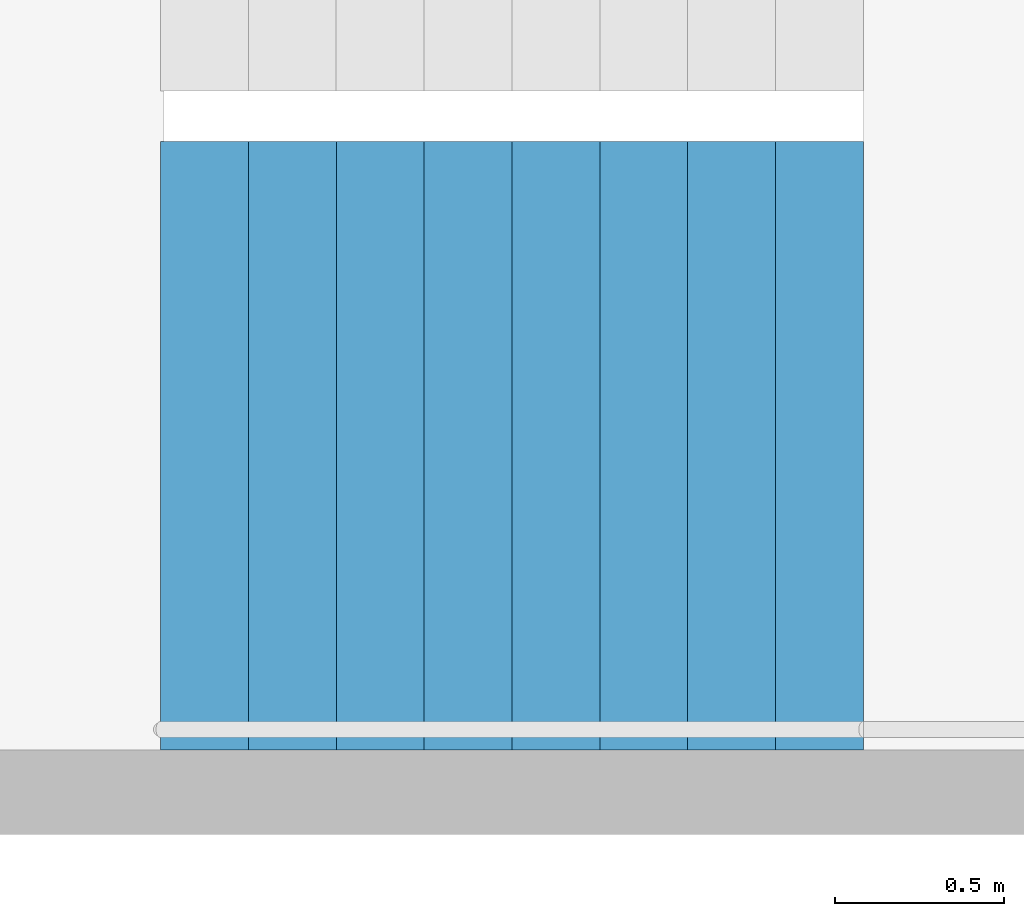
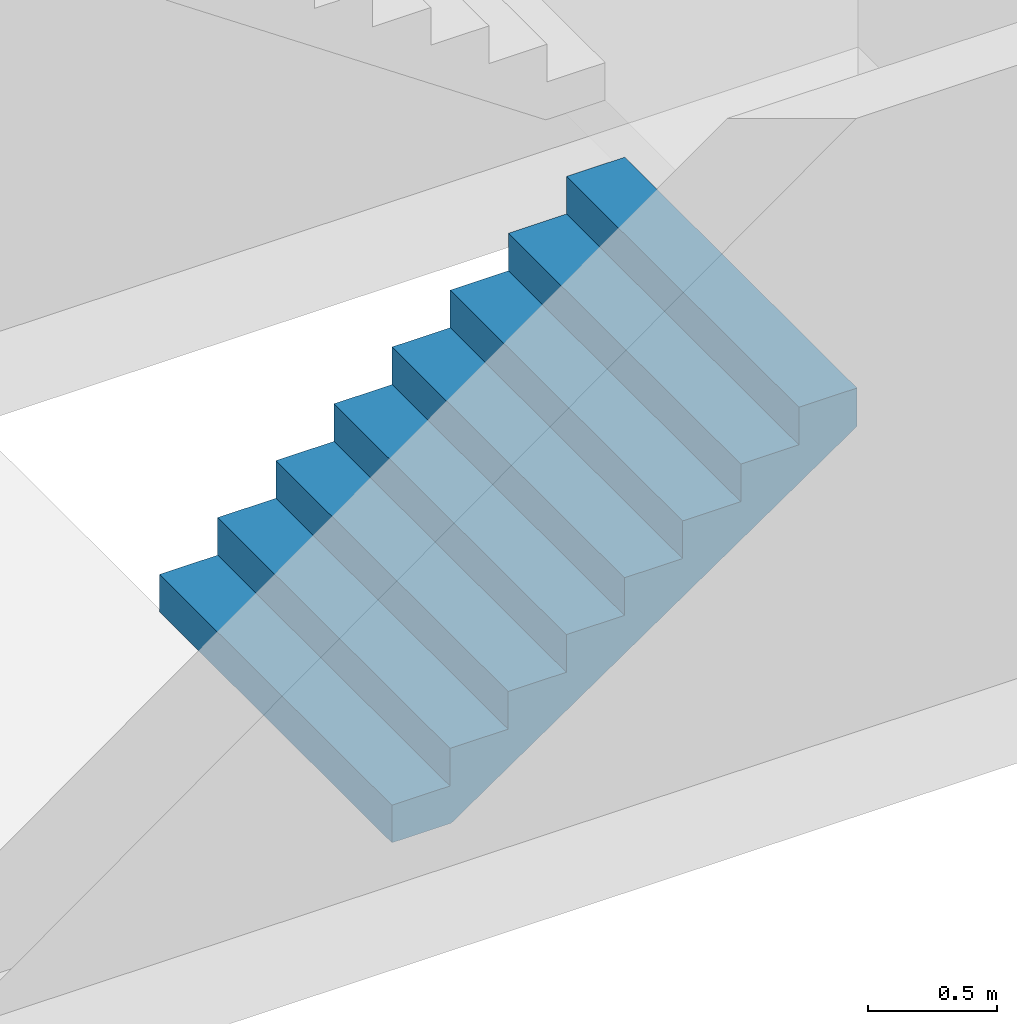
# One storey, part 23 of 29: 1 stair flight, 1 element without a shape of its own.
"""IFC4 building model written with IfcOpenShell, lengths in metres."""

from ifc_helpers import new_model, si_unit, direction, frame, origin, place, context, subcontext, project, spatial, triangles, material, type_object, element, aggregate, save


model = new_model("IFC4")

# Units and contexts
model_context = context("Model", 3, precision=1e-05, world=origin(), true_north=direction((0.0, 1.0)))
body_context = subcontext(model_context, "Body", "Model", "MODEL_VIEW")
ifc_project = project(units=[si_unit("LENGTHUNIT", "METRE"), si_unit("AREAUNIT", "SQUARE_METRE"), si_unit("VOLUMEUNIT", "CUBIC_METRE"), si_unit("PLANEANGLEUNIT", "RADIAN"), si_unit("MASSUNIT", "GRAM", prefix="KILO")], contexts=[model_context])

# Site, building, storey
site_placement = place(None, origin())
site = spatial("IfcSite", under=ifc_project, at=site_placement, CompositionType="ELEMENT")
building_placement = place(site_placement, origin())
building = spatial("IfcBuilding", under=site, at=building_placement, Name="Hakoniwa Tower and Hamabe Station Hall", CompositionType="ELEMENT")
storey_placement = place(building_placement, frame((0.0, 0.0, 117.0)))
storey = spatial("IfcBuildingStorey", under=building, at=storey_placement, Name="L33", CompositionType="ELEMENT", Elevation=117.0)

# Stair, stair flight
ifc_material_1 = material(Name="Concrete C40", Category="concrete")
stair_type = type_object("IfcStairType", Name="ESCAPE STAIR 1800", PredefinedType="HALF_TURN_STAIR", material=ifc_material_1)
stair_placement = place(storey_placement, origin())
stair = element("IfcStair", 1, at=stair_placement, inside=storey, type_object=stair_type, Name="Escape stair ST-1 L33", PredefinedType="HALF_TURN_STAIR")
ifc_material_2 = material(Name="Concrete C40", Category="concrete")
stair_flight_type = type_object("IfcStairFlightType", Name="STAIR FLIGHT 1800", PredefinedType="STRAIGHT", material=ifc_material_2)
stair_flight_placement = place(storey_placement, frame((-24.39990234375, 4.64990234375, 0.0), z_axis=(0.0, 0.0, 1.0), x_axis=(1.0, 0.0, 0.0)))
stair_flight = element("IfcStairFlight", 2, at=stair_flight_placement, type_object=stair_flight_type, Name="ST-1 flight 1", NumberOfRisers=9, NumberOfTreads=8, PredefinedType="STRAIGHT", RiserHeight=0.177777778, TreadLength=0.26, context=body_context, shape_type="Tessellation", body=[
    triangles([(0.0, 0.89990234375, 0.0), (0.260009765625, 0.89990234375, 0.0), (0.265625, 0.89990234375, 0.0), (0.52001953125, 0.89990234375, 0.174072265625), (0.780029296875, 0.89990234375, 0.351806640625), (1.0400390625, 0.89990234375, 0.529541015625), (1.300048828125, 0.89990234375, 0.707275390625), (1.56005859375, 0.89990234375, 0.885009765625), (1.820068359375, 0.89990234375, 1.062744140625), (2.080078125, 0.89990234375, 1.24072265625), (2.080078125, 0.89990234375, 1.422119140625), (1.820068359375, 0.89990234375, 1.422119140625), (1.820068359375, 0.89990234375, 1.244384765625), (1.56005859375, 0.89990234375, 1.244384765625), (1.56005859375, 0.89990234375, 1.066650390625), (1.300048828125, 0.89990234375, 1.066650390625), (1.300048828125, 0.89990234375, 0.888916015625), (1.0400390625, 0.89990234375, 0.888916015625), (1.0400390625, 0.89990234375, 0.711181640625), (0.780029296875, 0.89990234375, 0.711181640625), (0.780029296875, 0.89990234375, 0.533447265625), (0.52001953125, 0.89990234375, 0.533447265625), (0.52001953125, 0.89990234375, 0.35546875), (0.265625, 0.89990234375, 0.35546875), (0.260009765625, 0.89990234375, 0.35546875), (0.260009765625, 0.89990234375, 0.177734375), (0.0, 0.89990234375, 0.177734375), (0.0, 0.06005859375, 0.0), (0.260009765625, 0.06005859375, 0.0), (0.265625, 0.06005859375, 0.0), (0.52001953125, 0.06005859375, 0.174072265625), (0.780029296875, 0.06005859375, 0.351806640625), (1.0400390625, 0.06005859375, 0.529541015625), (1.300048828125, 0.06005859375, 0.707275390625), (1.56005859375, 0.06005859375, 0.885009765625), (1.820068359375, 0.06005859375, 1.062744140625), (2.080078125, 0.06005859375, 1.24072265625), (2.080078125, 0.06005859375, 1.422119140625), (1.820068359375, 0.06005859375, 1.422119140625), (1.820068359375, 0.06005859375, 1.244384765625), (1.56005859375, 0.06005859375, 1.244384765625), (1.56005859375, 0.06005859375, 1.066650390625), (1.300048828125, 0.06005859375, 1.066650390625), (1.300048828125, 0.06005859375, 0.888916015625), (1.0400390625, 0.06005859375, 0.888916015625), (1.0400390625, 0.06005859375, 0.711181640625), (0.780029296875, 0.06005859375, 0.711181640625), (0.780029296875, 0.06005859375, 0.533447265625), (0.52001953125, 0.06005859375, 0.533447265625), (0.52001953125, 0.06005859375, 0.35546875), (0.265625, 0.06005859375, 0.35546875), (0.260009765625, 0.06005859375, 0.35546875), (0.260009765625, 0.06005859375, 0.177734375), (0.0, 0.06005859375, 0.177734375), (0.0, 0.04296875, 0.0), (0.260009765625, 0.04296875, 0.0), (0.265625, 0.04296875, 0.0), (0.52001953125, 0.04296875, 0.174072265625), (0.780029296875, 0.04296875, 0.351806640625), (1.0400390625, 0.04296875, 0.529541015625), (1.300048828125, 0.04296875, 0.707275390625), (1.56005859375, 0.04296875, 0.885009765625), (1.820068359375, 0.04296875, 1.062744140625), (2.080078125, 0.04296875, 1.24072265625), (2.080078125, 0.04296875, 1.422119140625), (1.820068359375, 0.04296875, 1.422119140625), (1.820068359375, 0.04296875, 1.244384765625), (1.56005859375, 0.04296875, 1.244384765625), (1.56005859375, 0.04296875, 1.066650390625), (1.300048828125, 0.04296875, 1.066650390625), (1.300048828125, 0.04296875, 0.888916015625), (1.0400390625, 0.04296875, 0.888916015625), (1.0400390625, 0.04296875, 0.711181640625), (0.780029296875, 0.04296875, 0.711181640625), (0.780029296875, 0.04296875, 0.533447265625), (0.52001953125, 0.04296875, 0.533447265625), (0.52001953125, 0.04296875, 0.35546875), (0.265625, 0.04296875, 0.35546875), (0.260009765625, 0.04296875, 0.35546875), (0.260009765625, 0.04296875, 0.177734375), (0.0, 0.04296875, 0.177734375), (0.0, 0.025634765625, 0.0), (0.260009765625, 0.025634765625, 0.0), (0.265625, 0.025634765625, 0.0), (0.52001953125, 0.025634765625, 0.174072265625), (0.780029296875, 0.025634765625, 0.351806640625), (1.0400390625, 0.025634765625, 0.529541015625), (1.300048828125, 0.025634765625, 0.707275390625), (1.56005859375, 0.025634765625, 0.885009765625), (1.820068359375, 0.025634765625, 1.062744140625), (2.080078125, 0.025634765625, 1.24072265625), (2.080078125, 0.025634765625, 1.422119140625), (1.820068359375, 0.025634765625, 1.422119140625), (1.820068359375, 0.025634765625, 1.244384765625), (1.56005859375, 0.025634765625, 1.244384765625), (1.56005859375, 0.025634765625, 1.066650390625), (1.300048828125, 0.025634765625, 1.066650390625), (1.300048828125, 0.025634765625, 0.888916015625), (1.0400390625, 0.025634765625, 0.888916015625), (1.0400390625, 0.025634765625, 0.711181640625), (0.780029296875, 0.025634765625, 0.711181640625), (0.780029296875, 0.025634765625, 0.533447265625), (0.52001953125, 0.025634765625, 0.533447265625), (0.52001953125, 0.025634765625, 0.35546875), (0.265625, 0.025634765625, 0.35546875), (0.260009765625, 0.025634765625, 0.35546875), (0.260009765625, 0.025634765625, 0.177734375), (0.0, 0.025634765625, 0.177734375), (0.0, 0.008544921875, 0.0), (0.260009765625, 0.008544921875, 0.0), (0.265625, 0.008544921875, 0.0), (0.52001953125, 0.008544921875, 0.174072265625), (0.780029296875, 0.008544921875, 0.351806640625), (1.0400390625, 0.008544921875, 0.529541015625), (1.300048828125, 0.008544921875, 0.707275390625), (1.56005859375, 0.008544921875, 0.885009765625), (1.820068359375, 0.008544921875, 1.062744140625), (2.080078125, 0.008544921875, 1.24072265625), (2.080078125, 0.008544921875, 1.422119140625), (1.820068359375, 0.008544921875, 1.422119140625), (1.820068359375, 0.008544921875, 1.244384765625), (1.56005859375, 0.008544921875, 1.244384765625), (1.56005859375, 0.008544921875, 1.066650390625), (1.300048828125, 0.008544921875, 1.066650390625), (1.300048828125, 0.008544921875, 0.888916015625), (1.0400390625, 0.008544921875, 0.888916015625), (1.0400390625, 0.008544921875, 0.711181640625), (0.780029296875, 0.008544921875, 0.711181640625), (0.780029296875, 0.008544921875, 0.533447265625), (0.52001953125, 0.008544921875, 0.533447265625), (0.52001953125, 0.008544921875, 0.35546875), (0.265625, 0.008544921875, 0.35546875), (0.260009765625, 0.008544921875, 0.35546875), (0.260009765625, 0.008544921875, 0.177734375), (0.0, 0.008544921875, 0.177734375), (0.0, -0.008544921875, 0.0), (0.260009765625, -0.008544921875, 0.0), (0.265625, -0.008544921875, 0.0), (0.52001953125, -0.008544921875, 0.174072265625), (0.780029296875, -0.008544921875, 0.351806640625), (1.0400390625, -0.008544921875, 0.529541015625), (1.300048828125, -0.008544921875, 0.707275390625), (1.56005859375, -0.008544921875, 0.885009765625), (1.820068359375, -0.008544921875, 1.062744140625), (2.080078125, -0.008544921875, 1.24072265625), (2.080078125, -0.008544921875, 1.422119140625), (1.820068359375, -0.008544921875, 1.422119140625), (1.820068359375, -0.008544921875, 1.244384765625), (1.56005859375, -0.008544921875, 1.244384765625), (1.56005859375, -0.008544921875, 1.066650390625), (1.300048828125, -0.008544921875, 1.066650390625), (1.300048828125, -0.008544921875, 0.888916015625), (1.0400390625, -0.008544921875, 0.888916015625), (1.0400390625, -0.008544921875, 0.711181640625), (0.780029296875, -0.008544921875, 0.711181640625), (0.780029296875, -0.008544921875, 0.533447265625), (0.52001953125, -0.008544921875, 0.533447265625), (0.52001953125, -0.008544921875, 0.35546875), (0.265625, -0.008544921875, 0.35546875), (0.260009765625, -0.008544921875, 0.35546875), (0.260009765625, -0.008544921875, 0.177734375), (0.0, -0.008544921875, 0.177734375), (0.0, -0.025634765625, 0.0), (0.260009765625, -0.025634765625, 0.0), (0.265625, -0.025634765625, 0.0), (0.52001953125, -0.025634765625, 0.174072265625), (0.780029296875, -0.025634765625, 0.351806640625), (1.0400390625, -0.025634765625, 0.529541015625), (1.300048828125, -0.025634765625, 0.707275390625), (1.56005859375, -0.025634765625, 0.885009765625), (1.820068359375, -0.025634765625, 1.062744140625), (2.080078125, -0.025634765625, 1.24072265625), (2.080078125, -0.025634765625, 1.422119140625), (1.820068359375, -0.025634765625, 1.422119140625), (1.820068359375, -0.025634765625, 1.244384765625), (1.56005859375, -0.025634765625, 1.244384765625), (1.56005859375, -0.025634765625, 1.066650390625), (1.300048828125, -0.025634765625, 1.066650390625), (1.300048828125, -0.025634765625, 0.888916015625), (1.0400390625, -0.025634765625, 0.888916015625), (1.0400390625, -0.025634765625, 0.711181640625), (0.780029296875, -0.025634765625, 0.711181640625), (0.780029296875, -0.025634765625, 0.533447265625), (0.52001953125, -0.025634765625, 0.533447265625), (0.52001953125, -0.025634765625, 0.35546875), (0.265625, -0.025634765625, 0.35546875), (0.260009765625, -0.025634765625, 0.35546875), (0.260009765625, -0.025634765625, 0.177734375), (0.0, -0.025634765625, 0.177734375), (0.0, -0.04296875, 0.0), (0.260009765625, -0.04296875, 0.0), (0.265625, -0.04296875, 0.0), (0.52001953125, -0.04296875, 0.174072265625), (0.780029296875, -0.04296875, 0.351806640625), (1.0400390625, -0.04296875, 0.529541015625), (1.300048828125, -0.04296875, 0.707275390625), (1.56005859375, -0.04296875, 0.885009765625), (1.820068359375, -0.04296875, 1.062744140625), (2.080078125, -0.04296875, 1.24072265625), (2.080078125, -0.04296875, 1.422119140625), (1.820068359375, -0.04296875, 1.422119140625), (1.820068359375, -0.04296875, 1.244384765625), (1.56005859375, -0.04296875, 1.244384765625), (1.56005859375, -0.04296875, 1.066650390625), (1.300048828125, -0.04296875, 1.066650390625), (1.300048828125, -0.04296875, 0.888916015625), (1.0400390625, -0.04296875, 0.888916015625), (1.0400390625, -0.04296875, 0.711181640625), (0.780029296875, -0.04296875, 0.711181640625), (0.780029296875, -0.04296875, 0.533447265625), (0.52001953125, -0.04296875, 0.533447265625), (0.52001953125, -0.04296875, 0.35546875), (0.265625, -0.04296875, 0.35546875), (0.260009765625, -0.04296875, 0.35546875), (0.260009765625, -0.04296875, 0.177734375), (0.0, -0.04296875, 0.177734375), (0.0, -0.06005859375, 0.0), (0.260009765625, -0.06005859375, 0.0), (0.265625, -0.06005859375, 0.0), (0.52001953125, -0.06005859375, 0.174072265625), (0.780029296875, -0.06005859375, 0.351806640625), (1.0400390625, -0.06005859375, 0.529541015625), (1.300048828125, -0.06005859375, 0.707275390625), (1.56005859375, -0.06005859375, 0.885009765625), (1.820068359375, -0.06005859375, 1.062744140625), (2.080078125, -0.06005859375, 1.24072265625), (2.080078125, -0.06005859375, 1.422119140625), (1.820068359375, -0.06005859375, 1.422119140625), (1.820068359375, -0.06005859375, 1.244384765625), (1.56005859375, -0.06005859375, 1.244384765625), (1.56005859375, -0.06005859375, 1.066650390625), (1.300048828125, -0.06005859375, 1.066650390625), (1.300048828125, -0.06005859375, 0.888916015625), (1.0400390625, -0.06005859375, 0.888916015625), (1.0400390625, -0.06005859375, 0.711181640625), (0.780029296875, -0.06005859375, 0.711181640625), (0.780029296875, -0.06005859375, 0.533447265625), (0.52001953125, -0.06005859375, 0.533447265625), (0.52001953125, -0.06005859375, 0.35546875), (0.265625, -0.06005859375, 0.35546875), (0.260009765625, -0.06005859375, 0.35546875), (0.260009765625, -0.06005859375, 0.177734375), (0.0, -0.06005859375, 0.177734375), (0.0, -0.89990234375, 0.0), (0.260009765625, -0.89990234375, 0.0), (0.265625, -0.89990234375, 0.0), (0.52001953125, -0.89990234375, 0.174072265625), (0.780029296875, -0.89990234375, 0.351806640625), (1.0400390625, -0.89990234375, 0.529541015625), (1.300048828125, -0.89990234375, 0.707275390625), (1.56005859375, -0.89990234375, 0.885009765625), (1.820068359375, -0.89990234375, 1.062744140625), (2.080078125, -0.89990234375, 1.24072265625), (2.080078125, -0.89990234375, 1.422119140625), (1.820068359375, -0.89990234375, 1.422119140625), (1.820068359375, -0.89990234375, 1.244384765625), (1.56005859375, -0.89990234375, 1.244384765625), (1.56005859375, -0.89990234375, 1.066650390625), (1.300048828125, -0.89990234375, 1.066650390625), (1.300048828125, -0.89990234375, 0.888916015625), (1.0400390625, -0.89990234375, 0.888916015625), (1.0400390625, -0.89990234375, 0.711181640625), (0.780029296875, -0.89990234375, 0.711181640625), (0.780029296875, -0.89990234375, 0.533447265625), (0.52001953125, -0.89990234375, 0.533447265625), (0.52001953125, -0.89990234375, 0.35546875), (0.265625, -0.89990234375, 0.35546875), (0.260009765625, -0.89990234375, 0.35546875), (0.260009765625, -0.89990234375, 0.177734375), (0.0, -0.89990234375, 0.177734375)], [[2, 27, 26], [245, 269, 270], [2, 1, 27], [245, 270, 244], [3, 25, 24], [246, 267, 268], [3, 26, 25], [246, 268, 269], [3, 2, 26], [246, 269, 245], [4, 24, 23], [247, 266, 267], [4, 3, 24], [247, 267, 246], [5, 22, 21], [248, 264, 265], [5, 23, 22], [248, 265, 266], [5, 4, 23], [248, 266, 247], [6, 20, 19], [249, 262, 263], [6, 21, 20], [249, 263, 264], [6, 5, 21], [249, 264, 248], [7, 18, 17], [250, 260, 261], [7, 19, 18], [250, 261, 262], [7, 6, 19], [250, 262, 249], [8, 16, 15], [251, 258, 259], [8, 17, 16], [251, 259, 260], [8, 7, 17], [251, 260, 250], [9, 14, 13], [252, 256, 257], [9, 15, 14], [252, 257, 258], [9, 8, 15], [252, 258, 251], [10, 12, 11], [253, 254, 255], [10, 13, 12], [253, 255, 256], [10, 9, 13], [253, 256, 252], [1, 2, 29], [1, 29, 28], [28, 29, 56], [28, 56, 55], [55, 56, 83], [55, 83, 82], [82, 83, 110], [82, 110, 109], [109, 110, 137], [109, 137, 136], [136, 137, 164], [136, 164, 163], [163, 164, 191], [163, 191, 190], [190, 191, 218], [190, 218, 217], [217, 218, 245], [217, 245, 244], [2, 3, 30], [2, 30, 29], [29, 30, 57], [29, 57, 56], [56, 57, 84], [56, 84, 83], [83, 84, 111], [83, 111, 110], [110, 111, 138], [110, 138, 137], [137, 138, 165], [137, 165, 164], [164, 165, 192], [164, 192, 191], [191, 192, 219], [191, 219, 218], [218, 219, 246], [218, 246, 245], [3, 4, 31], [3, 31, 30], [30, 31, 58], [30, 58, 57], [57, 58, 85], [57, 85, 84], [84, 85, 112], [84, 112, 111], [111, 112, 139], [111, 139, 138], [138, 139, 166], [138, 166, 165], [165, 166, 193], [165, 193, 192], [192, 193, 220], [192, 220, 219], [219, 220, 247], [219, 247, 246], [4, 5, 32], [4, 32, 31], [31, 32, 59], [31, 59, 58], [58, 59, 86], [58, 86, 85], [85, 86, 113], [85, 113, 112], [112, 113, 140], [112, 140, 139], [139, 140, 167], [139, 167, 166], [166, 167, 194], [166, 194, 193], [193, 194, 221], [193, 221, 220], [220, 221, 248], [220, 248, 247], [5, 6, 33], [5, 33, 32], [32, 33, 60], [32, 60, 59], [59, 60, 87], [59, 87, 86], [86, 87, 114], [86, 114, 113], [113, 114, 141], [113, 141, 140], [140, 141, 168], [140, 168, 167], [167, 168, 195], [167, 195, 194], [194, 195, 222], [194, 222, 221], [221, 222, 249], [221, 249, 248], [6, 7, 34], [6, 34, 33], [33, 34, 61], [33, 61, 60], [60, 61, 88], [60, 88, 87], [87, 88, 115], [87, 115, 114], [114, 115, 142], [114, 142, 141], [141, 142, 169], [141, 169, 168], [168, 169, 196], [168, 196, 195], [195, 196, 223], [195, 223, 222], [222, 223, 250], [222, 250, 249], [7, 8, 35], [7, 35, 34], [34, 35, 62], [34, 62, 61], [61, 62, 89], [61, 89, 88], [88, 89, 116], [88, 116, 115], [115, 116, 143], [115, 143, 142], [142, 143, 170], [142, 170, 169], [169, 170, 197], [169, 197, 196], [196, 197, 224], [196, 224, 223], [223, 224, 251], [223, 251, 250], [8, 9, 36], [8, 36, 35], [35, 36, 63], [35, 63, 62], [62, 63, 90], [62, 90, 89], [89, 90, 117], [89, 117, 116], [116, 117, 144], [116, 144, 143], [143, 144, 171], [143, 171, 170], [170, 171, 198], [170, 198, 197], [197, 198, 225], [197, 225, 224], [224, 225, 252], [224, 252, 251], [9, 10, 37], [9, 37, 36], [36, 37, 64], [36, 64, 63], [63, 64, 91], [63, 91, 90], [90, 91, 118], [90, 118, 117], [117, 118, 145], [117, 145, 144], [144, 145, 172], [144, 172, 171], [171, 172, 199], [171, 199, 198], [198, 199, 226], [198, 226, 225], [225, 226, 253], [225, 253, 252], [10, 11, 38], [10, 38, 37], [37, 38, 65], [37, 65, 64], [64, 65, 92], [64, 92, 91], [91, 92, 119], [91, 119, 118], [118, 119, 146], [118, 146, 145], [145, 146, 173], [145, 173, 172], [172, 173, 200], [172, 200, 199], [199, 200, 227], [199, 227, 226], [226, 227, 254], [226, 254, 253], [11, 12, 39], [11, 39, 38], [38, 39, 66], [38, 66, 65], [65, 66, 93], [65, 93, 92], [92, 93, 120], [92, 120, 119], [119, 120, 147], [119, 147, 146], [146, 147, 174], [146, 174, 173], [173, 174, 201], [173, 201, 200], [200, 201, 228], [200, 228, 227], [227, 228, 255], [227, 255, 254], [12, 13, 40], [12, 40, 39], [39, 40, 67], [39, 67, 66], [66, 67, 94], [66, 94, 93], [93, 94, 121], [93, 121, 120], [120, 121, 148], [120, 148, 147], [147, 148, 175], [147, 175, 174], [174, 175, 202], [174, 202, 201], [201, 202, 229], [201, 229, 228], [228, 229, 256], [228, 256, 255], [13, 14, 41], [13, 41, 40], [40, 41, 68], [40, 68, 67], [67, 68, 95], [67, 95, 94], [94, 95, 122], [94, 122, 121], [121, 122, 149], [121, 149, 148], [148, 149, 176], [148, 176, 175], [175, 176, 203], [175, 203, 202], [202, 203, 230], [202, 230, 229], [229, 230, 257], [229, 257, 256], [14, 15, 42], [14, 42, 41], [41, 42, 69], [41, 69, 68], [68, 69, 96], [68, 96, 95], [95, 96, 123], [95, 123, 122], [122, 123, 150], [122, 150, 149], [149, 150, 177], [149, 177, 176], [176, 177, 204], [176, 204, 203], [203, 204, 231], [203, 231, 230], [230, 231, 258], [230, 258, 257], [15, 16, 43], [15, 43, 42], [42, 43, 70], [42, 70, 69], [69, 70, 97], [69, 97, 96], [96, 97, 124], [96, 124, 123], [123, 124, 151], [123, 151, 150], [150, 151, 178], [150, 178, 177], [177, 178, 205], [177, 205, 204], [204, 205, 232], [204, 232, 231], [231, 232, 259], [231, 259, 258], [16, 17, 44], [16, 44, 43], [43, 44, 71], [43, 71, 70], [70, 71, 98], [70, 98, 97], [97, 98, 125], [97, 125, 124], [124, 125, 152], [124, 152, 151], [151, 152, 179], [151, 179, 178], [178, 179, 206], [178, 206, 205], [205, 206, 233], [205, 233, 232], [232, 233, 260], [232, 260, 259], [17, 18, 45], [17, 45, 44], [44, 45, 72], [44, 72, 71], [71, 72, 99], [71, 99, 98], [98, 99, 126], [98, 126, 125], [125, 126, 153], [125, 153, 152], [152, 153, 180], [152, 180, 179], [179, 180, 207], [179, 207, 206], [206, 207, 234], [206, 234, 233], [233, 234, 261], [233, 261, 260], [18, 19, 46], [18, 46, 45], [45, 46, 73], [45, 73, 72], [72, 73, 100], [72, 100, 99], [99, 100, 127], [99, 127, 126], [126, 127, 154], [126, 154, 153], [153, 154, 181], [153, 181, 180], [180, 181, 208], [180, 208, 207], [207, 208, 235], [207, 235, 234], [234, 235, 262], [234, 262, 261], [19, 20, 47], [19, 47, 46], [46, 47, 74], [46, 74, 73], [73, 74, 101], [73, 101, 100], [100, 101, 128], [100, 128, 127], [127, 128, 155], [127, 155, 154], [154, 155, 182], [154, 182, 181], [181, 182, 209], [181, 209, 208], [208, 209, 236], [208, 236, 235], [235, 236, 263], [235, 263, 262], [20, 21, 48], [20, 48, 47], [47, 48, 75], [47, 75, 74], [74, 75, 102], [74, 102, 101], [101, 102, 129], [101, 129, 128], [128, 129, 156], [128, 156, 155], [155, 156, 183], [155, 183, 182], [182, 183, 210], [182, 210, 209], [209, 210, 237], [209, 237, 236], [236, 237, 264], [236, 264, 263], [21, 22, 49], [21, 49, 48], [48, 49, 76], [48, 76, 75], [75, 76, 103], [75, 103, 102], [102, 103, 130], [102, 130, 129], [129, 130, 157], [129, 157, 156], [156, 157, 184], [156, 184, 183], [183, 184, 211], [183, 211, 210], [210, 211, 238], [210, 238, 237], [237, 238, 265], [237, 265, 264], [22, 23, 50], [22, 50, 49], [49, 50, 77], [49, 77, 76], [76, 77, 104], [76, 104, 103], [103, 104, 131], [103, 131, 130], [130, 131, 158], [130, 158, 157], [157, 158, 185], [157, 185, 184], [184, 185, 212], [184, 212, 211], [211, 212, 239], [211, 239, 238], [238, 239, 266], [238, 266, 265], [23, 24, 51], [23, 51, 50], [50, 51, 78], [50, 78, 77], [77, 78, 105], [77, 105, 104], [104, 105, 132], [104, 132, 131], [131, 132, 159], [131, 159, 158], [158, 159, 186], [158, 186, 185], [185, 186, 213], [185, 213, 212], [212, 213, 240], [212, 240, 239], [239, 240, 267], [239, 267, 266], [24, 25, 52], [24, 52, 51], [51, 52, 79], [51, 79, 78], [78, 79, 106], [78, 106, 105], [105, 106, 133], [105, 133, 132], [132, 133, 160], [132, 160, 159], [159, 160, 187], [159, 187, 186], [186, 187, 214], [186, 214, 213], [213, 214, 241], [213, 241, 240], [240, 241, 268], [240, 268, 267], [25, 26, 53], [25, 53, 52], [52, 53, 80], [52, 80, 79], [79, 80, 107], [79, 107, 106], [106, 107, 134], [106, 134, 133], [133, 134, 161], [133, 161, 160], [160, 161, 188], [160, 188, 187], [187, 188, 215], [187, 215, 214], [214, 215, 242], [214, 242, 241], [241, 242, 269], [241, 269, 268], [26, 27, 54], [26, 54, 53], [53, 54, 81], [53, 81, 80], [80, 81, 108], [80, 108, 107], [107, 108, 135], [107, 135, 134], [134, 135, 162], [134, 162, 161], [161, 162, 189], [161, 189, 188], [188, 189, 216], [188, 216, 215], [215, 216, 243], [215, 243, 242], [242, 243, 270], [242, 270, 269], [27, 1, 28], [27, 28, 54], [54, 28, 55], [54, 55, 81], [81, 55, 82], [81, 82, 108], [108, 82, 109], [108, 109, 135], [135, 109, 136], [135, 136, 162], [162, 136, 163], [162, 163, 189], [189, 163, 190], [189, 190, 216], [216, 190, 217], [216, 217, 243], [243, 217, 244], [243, 244, 270]], closed=True),
])
aggregate(stair, [stair_flight])

save(model, "model.ifc")
